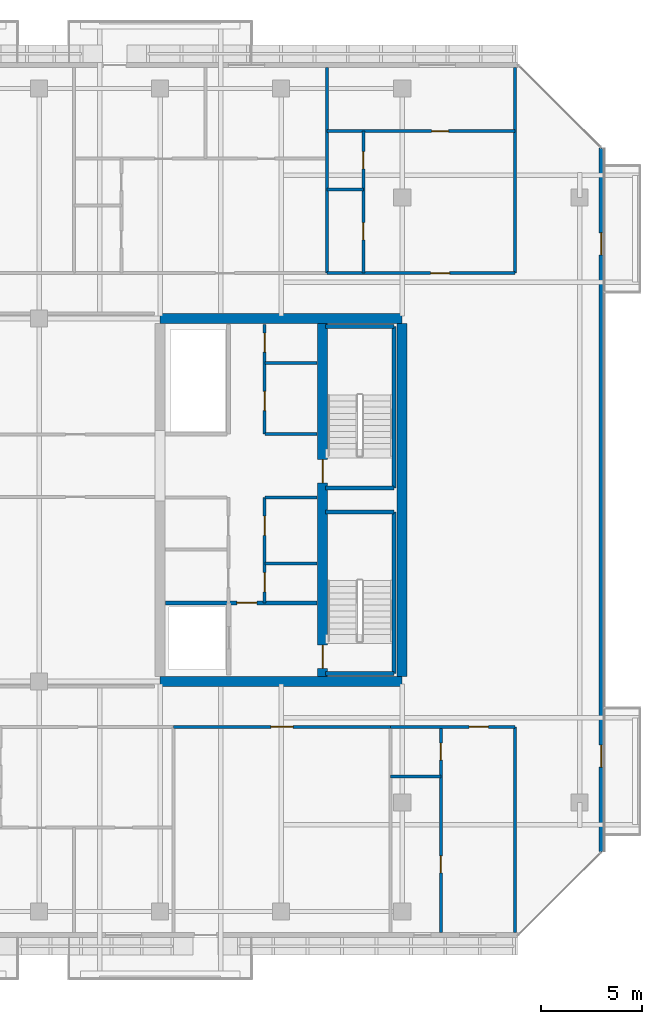
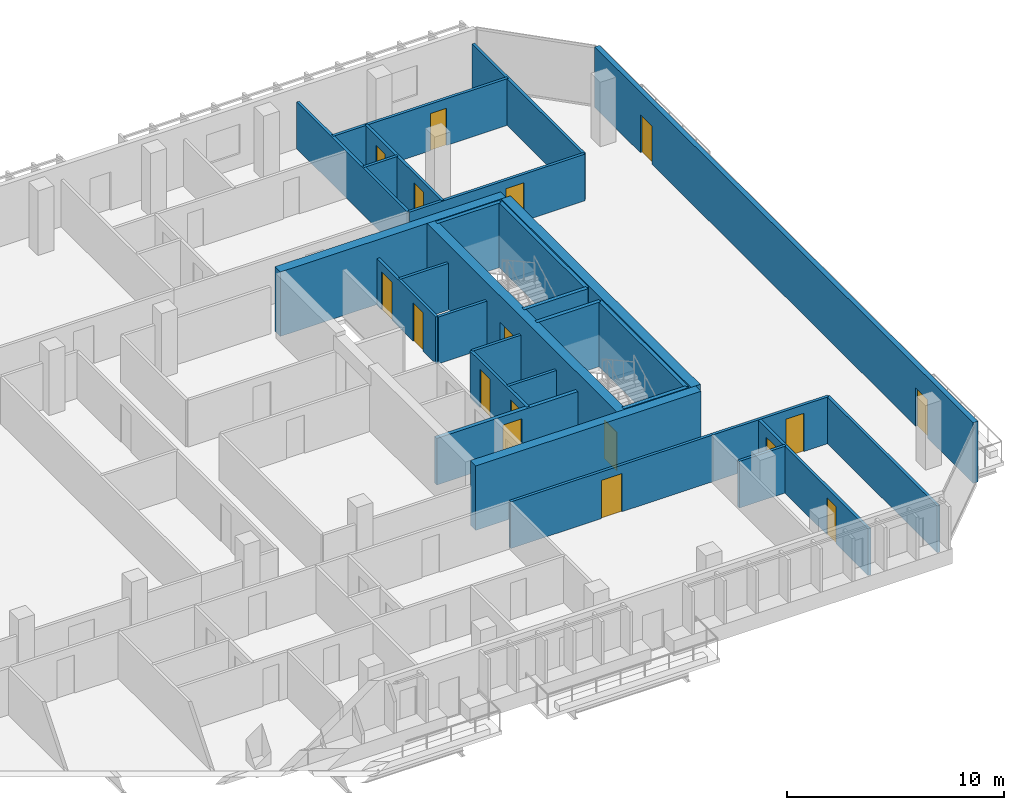
# One storey, part 24 of 30: 29 walls, 17 doors, 17 openings.
"""IFC4 building model written with IfcOpenShell, lengths in metres."""

from ifc_helpers import new_model, si_unit, direction, frame, frame_2d, origin, place, context, subcontext, project, spatial, rectangle, extrude, material, layer, layer_set, type_object, element, fill, save


model = new_model("IFC4")

# Units and contexts
model_context = context("Model", 3, precision=1e-05, world=origin(), true_north=direction((0.0, 1.0)))
body_context = subcontext(model_context, "Body", "Model", "MODEL_VIEW")
ifc_project = project(units=[si_unit("LENGTHUNIT", "METRE"), si_unit("AREAUNIT", "SQUARE_METRE"), si_unit("VOLUMEUNIT", "CUBIC_METRE"), si_unit("PLANEANGLEUNIT", "RADIAN"), si_unit("MASSUNIT", "GRAM", prefix="KILO")], contexts=[model_context])

# Site, building, storey
site_placement = place(None, origin())
site = spatial("IfcSite", under=ifc_project, at=site_placement, CompositionType="ELEMENT")
building_placement = place(site_placement, origin())
building = spatial("IfcBuilding", under=site, at=building_placement, Name="Tanjung Sevakor Pilgrim Tower", CompositionType="ELEMENT")
storey_placement = place(building_placement, frame((0.0, 0.0, 165.659912109375)))
storey = spatial("IfcBuildingStorey", under=building, at=storey_placement, Name="L46", CompositionType="ELEMENT", Elevation=165.659912109375)

# Walls
ifc_material_1 = material(Name="Concrete C60/75", Category="concrete")
ifc_layer_1 = layer(ifc_material_1, 0.5)
ifc_layer_set_1 = layer_set([ifc_layer_1], Name="WALL-CW-500")
wall_type_1 = type_object("IfcWallType", Name="WALL-CW-500", PredefinedType="SHEAR", material=ifc_layer_set_1)
for number, where, z_axis, x_axis, name in (
    (1, (78.0, 24.60009765625, 0.0), (0.0, 0.0, 1.0), (1.0, 0.0, 0.0), "L46 E Core South Shear Wall"),
    (2, (90.0, 42.60009765625, 0.0), (0.0, 0.0, 1.0), (-1.0, 0.0, 0.0), "L46 E Core North Shear Wall"),
):
    element("IfcWall", number, at=place(storey_placement, frame(where, z_axis=z_axis, x_axis=x_axis)), inside=storey, type_object=wall_type_1, Name=name, PredefinedType="SHEAR", context=body_context, shape_type="SweptSolid", body=[
        extrude(rectangle(XDim=12.0, YDim=0.5, at=frame_2d((6.0, 0.0))), origin(), (0.0, 0.0, 1.0), 3.630126953125),
    ])
wall_1_placement = place(storey_placement, frame((90.0, 24.85009765625, 0.0), z_axis=(0.0, 0.0, 1.0), x_axis=(0.0, 1.0, 0.0)))
element("IfcWall", 3, at=wall_1_placement, inside=storey, type_object=wall_type_1, Name="L46 E Core Outer Shear Wall", PredefinedType="SHEAR", context=body_context, shape_type="SweptSolid", body=[
    extrude(rectangle(XDim=17.5, YDim=0.5, at=frame_2d((8.75, 0.0))), origin(), (0.0, 0.0, 1.0), 3.630126953125),
])

# Wall, openings, doors
wall_2_placement = place(storey_placement, frame((86.050048828125, 24.85009765625, 0.0), z_axis=(0.0, 0.0, 1.0), x_axis=(0.0, 1.0, 0.0)))
wall_2 = element("IfcWall", 4, at=wall_2_placement, inside=storey, type_object=wall_type_1, Name="L46 E Core Stair Spine Wall", PredefinedType="SHEAR", context=body_context, shape_type="SweptSolid", body=[
    extrude(rectangle(XDim=17.5, YDim=0.5, at=frame_2d((8.75, 0.0))), origin(), (0.0, 0.0, 1.0), 3.630126953125),
])
opening_1_placement = place(wall_2_placement, frame((0.39990234375, 0.0, 0.0)))
opening_1 = element("IfcOpeningElement", 5, at=opening_1_placement, cuts=wall_2, Name="Opening ID-ST1", PredefinedType="OPENING", context=body_context, shape_type="SweptSolid", body=[
    extrude(rectangle(XDim=1.14990234375, YDim=2.14990234375, at=frame_2d((0.574951171875, 1.074951171875))), frame((0.0, 0.260009765625, 0.0), z_axis=(0.0, -1.0, 0.0), x_axis=(1.0, 0.0, 0.0)), (0.0, 0.0, 1.0), 0.52001953125),
])
opening_2_placement = place(wall_2_placement, frame((9.60009765625, 0.0, 0.0)))
opening_2 = element("IfcOpeningElement", 6, at=opening_2_placement, cuts=wall_2, Name="Opening ID-ST1", PredefinedType="OPENING", context=body_context, shape_type="SweptSolid", body=[
    extrude(rectangle(XDim=1.14990234375, YDim=2.14990234375, at=frame_2d((0.574951171875, 1.074951171875))), frame((0.0, 0.260009765625, 0.0), z_axis=(0.0, -1.0, 0.0), x_axis=(1.0, 0.0, 0.0)), (0.0, 0.0, 1.0), 0.52001953125),
])
ifc_material_2 = material(Name="Fire-Rated Steel S355J2", Category="steel")
door_type_1 = type_object("IfcDoorType", Name="DT-FIRE-1150", OperationType="NOTDEFINED", PredefinedType="DOOR", material=ifc_material_2)
door_1_placement = place(opening_1_placement, origin())
door_1 = element("IfcDoor", 7, at=door_1_placement, inside=storey, type_object=door_type_1, Name="L46 TS-E1 Stair Fire Door", OperationType="SINGLE_SWING_RIGHT", OverallHeight=2.14990234375, OverallWidth=1.14990234375, PredefinedType="DOOR", context=body_context, shape_type="SweptSolid", body=[
    extrude(rectangle(XDim=1.14990234375, YDim=2.14990234375, at=frame_2d((0.574951171875, 1.074951171875))), frame((0.0, 0.02490234375, 0.0), z_axis=(0.0, -1.0, 0.0), x_axis=(1.0, 0.0, 0.0)), (0.0, 0.0, 1.0), 0.050048828125),
])
fill(opening_1, door_1)
door_2_placement = place(opening_2_placement, origin())
door_2 = element("IfcDoor", 8, at=door_2_placement, inside=storey, type_object=door_type_1, Name="L46 TS-E2 Stair Fire Door", OperationType="SINGLE_SWING_LEFT", OverallHeight=2.14990234375, OverallWidth=1.14990234375, PredefinedType="DOOR", context=body_context, shape_type="SweptSolid", body=[
    extrude(rectangle(XDim=1.14990234375, YDim=2.14990234375, at=frame_2d((0.574951171875, 1.074951171875))), frame((0.0, 0.02490234375, 0.0), z_axis=(0.0, -1.0, 0.0), x_axis=(1.0, 0.0, 0.0)), (0.0, 0.0, 1.0), 0.050048828125),
])
fill(opening_2, door_2)

# Walls
ifc_material_3 = material(Name="Concrete C40/50", Category="concrete")
ifc_layer_2 = layer(ifc_material_3, 0.14990234375)
ifc_layer_set_2 = layer_set([ifc_layer_2], Name="WT-COMP-150")
wall_type_2 = type_object("IfcWallType", Name="WT-COMP-150", PredefinedType="SOLIDWALL", material=ifc_layer_set_2)
for number, where, z_axis, x_axis, name in (
    (9, (83.199951171875, 30.449951171875, 0.0), (0.0, 0.0, 1.0), (1.0, 0.0, 0.0), "L46 Partition IW-L46-016"),
    (10, (83.199951171875, 33.719970703125, 0.0), (0.0, 0.0, 1.0), (1.0, 0.0, 0.0), "L46 Partition IW-L46-017"),
):
    element("IfcWall", number, at=place(storey_placement, frame(where, z_axis=z_axis, x_axis=x_axis)), inside=storey, type_object=wall_type_2, Name=name, PredefinedType="SOLIDWALL", context=body_context, shape_type="SweptSolid", body=[
        extrude(rectangle(XDim=2.580078125, YDim=0.14990234375, at=frame_2d((1.2900390625, 0.0))), origin(), (0.0, 0.0, 1.0), 2.6298828125),
    ])

# Wall, openings, doors
wall_3_placement = place(storey_placement, frame((83.179931640625, 28.5, 0.0), z_axis=(0.0, 0.0, 1.0), x_axis=(0.0, 1.0, 0.0)))
wall_3 = element("IfcWall", 11, at=wall_3_placement, inside=storey, type_object=wall_type_2, Name="L46 Partition IW-L46-018", PredefinedType="SOLIDWALL", context=body_context, shape_type="SweptSolid", body=[
    extrude(rectangle(XDim=5.219970703125, YDim=0.14990234375, at=frame_2d((2.60986328125, 0.0))), origin(), (0.0, 0.0, 1.0), 2.6298828125),
])
opening_3_placement = place(wall_3_placement, frame((0.550048828125, 0.0, 0.0)))
opening_3 = element("IfcOpeningElement", 12, at=opening_3_placement, cuts=wall_3, Name="Opening ID-FD2", PredefinedType="OPENING", context=body_context, shape_type="SweptSolid", body=[
    extrude(rectangle(XDim=0.949951171875, YDim=2.14990234375, at=frame_2d((0.47509765625, 1.074951171875))), frame((0.0, 0.0849609375, 0.0), z_axis=(0.0, -1.0, 0.0), x_axis=(1.0, 0.0, 0.0)), (0.0, 0.0, 1.0), 0.169921875),
])
opening_4_placement = place(wall_3_placement, frame((3.35009765625, 0.0, 0.0)))
opening_4 = element("IfcOpeningElement", 13, at=opening_4_placement, cuts=wall_3, Name="Opening ID-FD2", PredefinedType="OPENING", context=body_context, shape_type="SweptSolid", body=[
    extrude(rectangle(XDim=0.949951171875, YDim=2.14990234375, at=frame_2d((0.47509765625, 1.074951171875))), frame((0.0, 0.0849609375, 0.0), z_axis=(0.0, -1.0, 0.0), x_axis=(1.0, 0.0, 0.0)), (0.0, 0.0, 1.0), 0.169921875),
])
ifc_material_4 = material(Name="Fire-Rated Timber", Category="wood")
door_type_2 = type_object("IfcDoorType", Name="DT-FIRE-950", OperationType="NOTDEFINED", PredefinedType="DOOR", material=ifc_material_4)
door_3_placement = place(opening_3_placement, origin())
door_3 = element("IfcDoor", 14, at=door_3_placement, inside=storey, type_object=door_type_2, Name="L46 Cleaner Store Door", OperationType="SINGLE_SWING_RIGHT", OverallHeight=2.14990234375, OverallWidth=0.949951171875, PredefinedType="DOOR", context=body_context, shape_type="SweptSolid", body=[
    extrude(rectangle(XDim=0.949951171875, YDim=2.14990234375, at=frame_2d((0.47509765625, 1.074951171875))), frame((0.0, 0.02490234375, 0.0), z_axis=(0.0, -1.0, 0.0), x_axis=(1.0, 0.0, 0.0)), (0.0, 0.0, 1.0), 0.050048828125),
])
fill(opening_3, door_3)
door_4_placement = place(opening_4_placement, origin())
door_4 = element("IfcDoor", 15, at=door_4_placement, inside=storey, type_object=door_type_2, Name="L46 Housekeeping Pantry Door", OperationType="SINGLE_SWING_LEFT", OverallHeight=2.14990234375, OverallWidth=0.949951171875, PredefinedType="DOOR", context=body_context, shape_type="SweptSolid", body=[
    extrude(rectangle(XDim=0.949951171875, YDim=2.14990234375, at=frame_2d((0.47509765625, 1.074951171875))), frame((0.0, 0.02490234375, 0.0), z_axis=(0.0, -1.0, 0.0), x_axis=(1.0, 0.0, 0.0)), (0.0, 0.0, 1.0), 0.050048828125),
])
fill(opening_4, door_4)

# Walls
for number, where, z_axis, x_axis, name in (
    (16, (83.199951171875, 36.8798828125, 0.0), (0.0, 0.0, 1.0), (1.0, 0.0, 0.0), "L46 Partition IW-L46-022"),
    (17, (83.199951171875, 40.389892578125, 0.0), (0.0, 0.0, 1.0), (1.0, 0.0, 0.0), "L46 Partition IW-L46-023"),
):
    element("IfcWall", number, at=place(storey_placement, frame(where, z_axis=z_axis, x_axis=x_axis)), inside=storey, type_object=wall_type_2, Name=name, PredefinedType="SOLIDWALL", context=body_context, shape_type="SweptSolid", body=[
        extrude(rectangle(XDim=2.580078125, YDim=0.14990234375, at=frame_2d((1.2900390625, 0.0))), origin(), (0.0, 0.0, 1.0), 2.6298828125),
    ])

# Wall, openings, doors
wall_4_placement = place(storey_placement, frame((83.179931640625, 36.8798828125, 0.0), z_axis=(0.0, 0.0, 1.0), x_axis=(0.0, 1.0, 0.0)))
wall_4 = element("IfcWall", 18, at=wall_4_placement, inside=storey, type_object=wall_type_2, Name="L46 Partition IW-L46-024", PredefinedType="SOLIDWALL", context=body_context, shape_type="SweptSolid", body=[
    extrude(rectangle(XDim=5.420166015625, YDim=0.14990234375, at=frame_2d((2.7099609375, 0.0))), origin(), (0.0, 0.0, 1.0), 2.6298828125),
])
opening_5_placement = place(wall_4_placement, frame((1.14990234375, 0.0, 0.0)))
opening_5 = element("IfcOpeningElement", 19, at=opening_5_placement, cuts=wall_4, Name="Opening ID-FD2", PredefinedType="OPENING", context=body_context, shape_type="SweptSolid", body=[
    extrude(rectangle(XDim=0.949951171875, YDim=2.14990234375, at=frame_2d((0.47509765625, 1.074951171875))), frame((0.0, 0.0849609375, 0.0), z_axis=(0.0, -1.0, 0.0), x_axis=(1.0, 0.0, 0.0)), (0.0, 0.0, 1.0), 0.169921875),
])
opening_6_placement = place(wall_4_placement, frame((4.050048828125, 0.0, 0.0)))
opening_6 = element("IfcOpeningElement", 20, at=opening_6_placement, cuts=wall_4, Name="Opening ID-FD2", PredefinedType="OPENING", context=body_context, shape_type="SweptSolid", body=[
    extrude(rectangle(XDim=0.949951171875, YDim=2.14990234375, at=frame_2d((0.47509765625, 1.074951171875))), frame((0.0, 0.0849609375, 0.0), z_axis=(0.0, -1.0, 0.0), x_axis=(1.0, 0.0, 0.0)), (0.0, 0.0, 1.0), 0.169921875),
])
door_5_placement = place(opening_5_placement, origin())
door_5 = element("IfcDoor", 21, at=door_5_placement, inside=storey, type_object=door_type_2, Name="L46 Core Study Room Door", OperationType="SINGLE_SWING_RIGHT", OverallHeight=2.14990234375, OverallWidth=0.949951171875, PredefinedType="DOOR", context=body_context, shape_type="SweptSolid", body=[
    extrude(rectangle(XDim=0.949951171875, YDim=2.14990234375, at=frame_2d((0.47509765625, 1.074951171875))), frame((0.0, 0.02490234375, 0.0), z_axis=(0.0, -1.0, 0.0), x_axis=(1.0, 0.0, 0.0)), (0.0, 0.0, 1.0), 0.050048828125),
])
fill(opening_5, door_5)
door_6_placement = place(opening_6_placement, origin())
door_6 = element("IfcDoor", 22, at=door_6_placement, inside=storey, type_object=door_type_2, Name="L46 Service Store Door", OperationType="SINGLE_SWING_LEFT", OverallHeight=2.14990234375, OverallWidth=0.949951171875, PredefinedType="DOOR", context=body_context, shape_type="SweptSolid", body=[
    extrude(rectangle(XDim=0.949951171875, YDim=2.14990234375, at=frame_2d((0.47509765625, 1.074951171875))), frame((0.0, 0.02490234375, 0.0), z_axis=(0.0, -1.0, 0.0), x_axis=(1.0, 0.0, 0.0)), (0.0, 0.0, 1.0), 0.050048828125),
])
fill(opening_6, door_6)

# Wall
wall_5_placement = place(storey_placement, frame((95.60009765625, 12.14990234375, 0.0), z_axis=(0.0, 0.0, 1.0), x_axis=(0.0, 1.0, 0.0)))
element("IfcWall", 23, at=wall_5_placement, inside=storey, type_object=wall_type_2, Name="L46 Partition IW-L46-071", PredefinedType="SOLIDWALL", context=body_context, shape_type="SweptSolid", body=[
    extrude(rectangle(XDim=10.2001953125, YDim=0.14990234375, at=frame_2d((5.10009765625, 0.0))), origin(), (0.0, 0.0, 1.0), 2.6298828125),
])

# Wall, opening, door
wall_6_placement = place(storey_placement, frame((78.665771484375, 22.35009765625, 0.0), z_axis=(0.0, 0.0, 1.0), x_axis=(1.0, 0.0, 0.0)))
wall_6 = element("IfcWall", 24, at=wall_6_placement, inside=storey, type_object=wall_type_2, Name="L46 Partition IW-L46-087", PredefinedType="SOLIDWALL", context=body_context, shape_type="SweptSolid", body=[
    extrude(rectangle(XDim=10.755615234375, YDim=0.14990234375, at=frame_2d((5.3779296875, 0.0))), origin(), (0.0, 0.0, 1.0), 2.6298828125),
])
opening_7_placement = place(wall_6_placement, frame((4.827880859375, 0.0, 0.0)))
opening_7 = element("IfcOpeningElement", 25, at=opening_7_placement, cuts=wall_6, Name="Opening ID-FD0", PredefinedType="OPENING", context=body_context, shape_type="SweptSolid", body=[
    extrude(rectangle(XDim=1.10009765625, YDim=2.14990234375, at=frame_2d((0.550048828125, 1.074951171875))), frame((0.0, 0.0849609375, 0.0), z_axis=(0.0, -1.0, 0.0), x_axis=(1.0, 0.0, 0.0)), (0.0, 0.0, 1.0), 0.169921875),
])
ifc_material_5 = material(Name="Fire-Rated Steel S355J2", Category="steel")
door_type_3 = type_object("IfcDoorType", Name="DT-FIRE-1100", OperationType="NOTDEFINED", PredefinedType="DOOR", material=ifc_material_5)
door_7_placement = place(opening_7_placement, origin())
door_7 = element("IfcDoor", 26, at=door_7_placement, inside=storey, type_object=door_type_3, Name="Communal Lounge Door", OperationType="SINGLE_SWING_RIGHT", OverallHeight=2.14990234375, OverallWidth=1.10009765625, PredefinedType="DOOR", context=body_context, shape_type="SweptSolid", body=[
    extrude(rectangle(XDim=1.10009765625, YDim=2.14990234375, at=frame_2d((0.550048828125, 1.074951171875))), frame((0.0, 0.02490234375, 0.0), z_axis=(0.0, -1.0, 0.0), x_axis=(1.0, 0.0, 0.0)), (0.0, 0.0, 1.0), 0.050048828125),
])
fill(opening_7, door_7)

wall_7_placement = place(storey_placement, frame((89.42138671875, 22.35009765625, 0.0), z_axis=(0.0, 0.0, 1.0), x_axis=(1.0, 0.0, 0.0)))
wall_7 = element("IfcWall", 27, at=wall_7_placement, inside=storey, type_object=wall_type_2, Name="L46 Partition IW-L46-090", PredefinedType="SOLIDWALL", context=body_context, shape_type="SweptSolid", body=[
    extrude(rectangle(XDim=6.1787109375, YDim=0.14990234375, at=frame_2d((3.08935546875, 0.0))), origin(), (0.0, 0.0, 1.0), 2.6298828125),
])
opening_8_placement = place(wall_7_placement, frame((3.90380859375, 0.0, 0.0)))
opening_8 = element("IfcOpeningElement", 28, at=opening_8_placement, cuts=wall_7, Name="Opening ID-FD2", PredefinedType="OPENING", context=body_context, shape_type="SweptSolid", body=[
    extrude(rectangle(XDim=0.949951171875, YDim=2.14990234375, at=frame_2d((0.47509765625, 1.074951171875))), frame((0.0, 0.0849609375, 0.0), z_axis=(0.0, -1.0, 0.0), x_axis=(1.0, 0.0, 0.0)), (0.0, 0.0, 1.0), 0.169921875),
])
door_8_placement = place(opening_8_placement, origin())
door_8 = element("IfcDoor", 29, at=door_8_placement, inside=storey, type_object=door_type_2, Name="Hostel Quad Entrance", OperationType="SINGLE_SWING_LEFT", OverallHeight=2.14990234375, OverallWidth=0.949951171875, PredefinedType="DOOR", context=body_context, shape_type="SweptSolid", body=[
    extrude(rectangle(XDim=0.949951171875, YDim=2.14990234375, at=frame_2d((0.47509765625, 1.074951171875))), frame((0.0, 0.02490234375, 0.0), z_axis=(0.0, -1.0, 0.0), x_axis=(1.0, 0.0, 0.0)), (0.0, 0.0, 1.0), 0.050048828125),
])
fill(opening_8, door_8)

# Walls
for number, where, z_axis, x_axis, name in (
    (30, (95.60009765625, 44.85009765625, 0.0), (0.0, 0.0, 1.0), (0.0, 1.0, 0.0), "L46 Partition IW-L46-103"),
    (31, (86.263916015625, 44.85009765625, 0.0), (0.0, 0.0, 1.0), (0.0, 1.0, 0.0), "L46 Partition IW-L46-112"),
):
    element("IfcWall", number, at=place(storey_placement, frame(where, z_axis=z_axis, x_axis=x_axis)), inside=storey, type_object=wall_type_2, Name=name, PredefinedType="SOLIDWALL", context=body_context, shape_type="SweptSolid", body=[
        extrude(rectangle(XDim=10.199951171875, YDim=0.14990234375, at=frame_2d((5.10009765625, 0.0))), origin(), (0.0, 0.0, 1.0), 2.6298828125),
    ])

# Wall, opening, door
wall_8_placement = place(storey_placement, frame((86.263916015625, 44.85009765625, 0.0), z_axis=(0.0, 0.0, 1.0), x_axis=(1.0, 0.0, 0.0)))
wall_8 = element("IfcWall", 32, at=wall_8_placement, inside=storey, type_object=wall_type_2, Name="L46 Partition IW-L46-121", PredefinedType="SOLIDWALL", context=body_context, shape_type="SweptSolid", body=[
    extrude(rectangle(XDim=9.336181640625, YDim=0.14990234375, at=frame_2d((4.66796875, 0.0))), origin(), (0.0, 0.0, 1.0), 2.6298828125),
])
opening_9_placement = place(wall_8_placement, frame((5.14111328125, 0.0, 0.0)))
opening_9 = element("IfcOpeningElement", 33, at=opening_9_placement, cuts=wall_8, Name="Opening ID-FD2", PredefinedType="OPENING", context=body_context, shape_type="SweptSolid", body=[
    extrude(rectangle(XDim=0.949951171875, YDim=2.14990234375, at=frame_2d((0.47509765625, 1.074951171875))), frame((0.0, 0.0849609375, 0.0), z_axis=(0.0, -1.0, 0.0), x_axis=(1.0, 0.0, 0.0)), (0.0, 0.0, 1.0), 0.169921875),
])
door_9_placement = place(opening_9_placement, origin())
door_9 = element("IfcDoor", 34, at=door_9_placement, inside=storey, type_object=door_type_2, Name="Residence Entrance", OperationType="SINGLE_SWING_LEFT", OverallHeight=2.14990234375, OverallWidth=0.949951171875, PredefinedType="DOOR", context=body_context, shape_type="SweptSolid", body=[
    extrude(rectangle(XDim=0.949951171875, YDim=2.14990234375, at=frame_2d((0.47509765625, 1.074951171875))), frame((0.0, 0.02490234375, 0.0), z_axis=(0.0, -1.0, 0.0), x_axis=(1.0, 0.0, 0.0)), (0.0, 0.0, 1.0), 0.050048828125),
])
fill(opening_9, door_9)

# Wall, openings, doors
ifc_material_6 = material(Name="Precast concrete C45/55", Category="concrete")
ifc_layer_3 = layer(ifc_material_6, 0.25)
ifc_layer_set_3 = layer_set([ifc_layer_3], Name="WT-EW-STN3")
wall_type_3 = type_object("IfcWallType", Name="WT-EW-STN3", PredefinedType="SOLIDWALL", material=ifc_layer_set_3)
wall_9_placement = place(storey_placement, frame((99.875, 16.15185546875, 0.0), z_axis=(0.0, 0.0, 1.0), x_axis=(0.0, 1.0, 0.0)))
wall_9 = element("IfcWall", 35, at=wall_9_placement, inside=storey, type_object=wall_type_3, Name="L46 MAIN Exterior Wall 7", PredefinedType="SOLIDWALL", context=body_context, shape_type="SweptSolid", body=[
    extrude(rectangle(XDim=34.896240234375, YDim=0.25, at=frame_2d((17.4482421875, 0.0))), origin(), (0.0, 0.0, 1.0), 3.409912109375),
])
opening_10_placement = place(wall_9_placement, frame((4.1982421875, 0.0, 0.0)))
opening_10 = element("IfcOpeningElement", 36, at=opening_10_placement, cuts=wall_9, Name="Opening ED-BAL-1100", PredefinedType="OPENING", context=body_context, shape_type="SweptSolid", body=[
    extrude(rectangle(XDim=1.10009765625, YDim=2.14990234375, at=frame_2d((0.550048828125, 1.074951171875))), frame((0.0, 0.135009765625, 0.0), z_axis=(0.0, -1.0, 0.0), x_axis=(1.0, 0.0, 0.0)), (0.0, 0.0, 1.0), 0.27001953125),
])
opening_11_placement = place(wall_9_placement, frame((29.59814453125, 0.0, 0.0)))
opening_11 = element("IfcOpeningElement", 37, at=opening_11_placement, cuts=wall_9, Name="Opening ED-BAL-1100", PredefinedType="OPENING", context=body_context, shape_type="SweptSolid", body=[
    extrude(rectangle(XDim=1.10009765625, YDim=2.14990234375, at=frame_2d((0.550048828125, 1.074951171875))), frame((0.0, 0.135009765625, 0.0), z_axis=(0.0, -1.0, 0.0), x_axis=(1.0, 0.0, 0.0)), (0.0, 0.0, 1.0), 0.27001953125),
])
ifc_material_7 = material(Name="Anodised Aluminium and Laminated Glass", Category="aluminium")
door_type_4 = type_object("IfcDoorType", Name="DTYP-ED-BAL-1100", OperationType="NOTDEFINED", PredefinedType="DOOR", material=ifc_material_7)
door_10_placement = place(opening_10_placement, frame((1.10009765625, 0.0, 0.0), z_axis=(0.0, 0.0, 1.0), x_axis=(-1.0, 0.0, 0.0)))
door_10 = element("IfcDoor", 38, at=door_10_placement, inside=storey, type_object=door_type_4, Name="L46 East Loggia Door MAIN-E1", OperationType="SINGLE_SWING_LEFT", OverallHeight=2.14990234375, OverallWidth=1.10009765625, PredefinedType="DOOR", context=body_context, shape_type="SweptSolid", body=[
    extrude(rectangle(XDim=1.10009765625, YDim=2.14990234375, at=frame_2d((0.550048828125, 1.074951171875))), frame((0.0, 0.02490234375, 0.0), z_axis=(0.0, -1.0, 0.0), x_axis=(1.0, 0.0, 0.0)), (0.0, 0.0, 1.0), 0.050048828125),
])
fill(opening_10, door_10)
door_11_placement = place(opening_11_placement, frame((1.10009765625, 0.0, 0.0), z_axis=(0.0, 0.0, 1.0), x_axis=(-1.0, 0.0, 0.0)))
door_11 = element("IfcDoor", 39, at=door_11_placement, inside=storey, type_object=door_type_4, Name="L46 East Loggia Door MAIN-E2", OperationType="SINGLE_SWING_RIGHT", OverallHeight=2.14990234375, OverallWidth=1.10009765625, PredefinedType="DOOR", context=body_context, shape_type="SweptSolid", body=[
    extrude(rectangle(XDim=1.10009765625, YDim=2.14990234375, at=frame_2d((0.550048828125, 1.074951171875))), frame((0.0, 0.02490234375, 0.0), z_axis=(0.0, -1.0, 0.0), x_axis=(1.0, 0.0, 0.0)), (0.0, 0.0, 1.0), 0.050048828125),
])
fill(opening_11, door_11)

# Walls
ifc_material_8 = material(Name="Concrete C40/50", Category="concrete")
ifc_layer_4 = layer(ifc_material_8, 0.199951171875)
ifc_layer_set_4 = layer_set([ifc_layer_4], Name="WT-FIRE-200")
wall_type_4 = type_object("IfcWallType", Name="WT-FIRE-200", PredefinedType="SOLIDWALL", material=ifc_layer_set_4)
wall_10_placement = place(storey_placement, frame((86.199951171875, 25.0, 0.0), z_axis=(0.0, 0.0, 1.0), x_axis=(1.0, 0.0, 0.0)))
element("IfcWall", 40, at=wall_10_placement, inside=storey, type_object=wall_type_4, Name="L46 TS-E1 Shaft Wall 1", PredefinedType="SOLIDWALL", context=body_context, shape_type="SweptSolid", body=[
    extrude(rectangle(XDim=3.400146484375, YDim=0.199951171875, at=frame_2d((1.7001953125, 0.0))), origin(), (0.0, 0.0, 1.0), 3.630126953125),
])
wall_11_placement = place(storey_placement, frame((89.60009765625, 25.0, 0.0), z_axis=(0.0, 0.0, 1.0), x_axis=(0.0, 1.0, 0.0)))
element("IfcWall", 41, at=wall_11_placement, inside=storey, type_object=wall_type_4, Name="L46 TS-E1 Shaft Wall 2", PredefinedType="SOLIDWALL", context=body_context, shape_type="SweptSolid", body=[
    extrude(rectangle(XDim=8.0, YDim=0.199951171875, at=frame_2d((4.0, 0.0))), origin(), (0.0, 0.0, 1.0), 3.630126953125),
])
for number, where, z_axis, x_axis, name in (
    (42, (89.60009765625, 33.0, 0.0), (0.0, 0.0, 1.0), (-1.0, 0.0, 0.0), "L46 TS-E1 Shaft Wall 3"),
    (43, (86.199951171875, 34.199951171875, 0.0), (0.0, 0.0, 1.0), (1.0, 0.0, 0.0), "L46 TS-E2 Shaft Wall 1"),
):
    element("IfcWall", number, at=place(storey_placement, frame(where, z_axis=z_axis, x_axis=x_axis)), inside=storey, type_object=wall_type_4, Name=name, PredefinedType="SOLIDWALL", context=body_context, shape_type="SweptSolid", body=[
        extrude(rectangle(XDim=3.400146484375, YDim=0.199951171875, at=frame_2d((1.7001953125, 0.0))), origin(), (0.0, 0.0, 1.0), 3.630126953125),
    ])
wall_12_placement = place(storey_placement, frame((89.60009765625, 34.199951171875, 0.0), z_axis=(0.0, 0.0, 1.0), x_axis=(0.0, 1.0, 0.0)))
element("IfcWall", 44, at=wall_12_placement, inside=storey, type_object=wall_type_4, Name="L46 TS-E2 Shaft Wall 2", PredefinedType="SOLIDWALL", context=body_context, shape_type="SweptSolid", body=[
    extrude(rectangle(XDim=8.0, YDim=0.199951171875, at=frame_2d((4.0, 0.0))), origin(), (0.0, 0.0, 1.0), 3.630126953125),
])
wall_13_placement = place(storey_placement, frame((89.60009765625, 42.199951171875, 0.0), z_axis=(0.0, 0.0, 1.0), x_axis=(-1.0, 0.0, 0.0)))
element("IfcWall", 45, at=wall_13_placement, inside=storey, type_object=wall_type_4, Name="L46 TS-E2 Shaft Wall 3", PredefinedType="SOLIDWALL", context=body_context, shape_type="SweptSolid", body=[
    extrude(rectangle(XDim=3.400146484375, YDim=0.199951171875, at=frame_2d((1.7001953125, 0.0))), origin(), (0.0, 0.0, 1.0), 3.630126953125),
])

# Wall, opening, door
ifc_material_9 = material(Name="Concrete C40/50", Category="concrete")
ifc_layer_5 = layer(ifc_material_9, 0.199951171875)
ifc_layer_set_5 = layer_set([ifc_layer_5], Name="WT-FPRT-200")
wall_type_5 = type_object("IfcWallType", Name="WT-FPRT-200", PredefinedType="SOLIDWALL", material=ifc_layer_set_5)
wall_14_placement = place(storey_placement, frame((78.27001953125, 28.5, 0.0), z_axis=(0.0, 0.0, 1.0), x_axis=(1.0, 0.0, 0.0)))
wall_14 = element("IfcWall", 46, at=wall_14_placement, inside=storey, type_object=wall_type_5, Name="L46 Partition IW-L46-015", PredefinedType="SOLIDWALL", context=body_context, shape_type="SweptSolid", body=[
    extrude(rectangle(XDim=7.510009765625, YDim=0.199951171875, at=frame_2d((3.7548828125, 0.0))), origin(), (0.0, 0.0, 1.0), 2.6298828125),
])
opening_12_placement = place(wall_14_placement, frame((3.530029296875, 0.0, 0.0)))
opening_12 = element("IfcOpeningElement", 47, at=opening_12_placement, cuts=wall_14, Name="Opening ID-FD1", PredefinedType="OPENING", context=body_context, shape_type="SweptSolid", body=[
    extrude(rectangle(XDim=1.0, YDim=2.14990234375, at=frame_2d((0.5, 1.074951171875))), frame((0.0, 0.10986328125, 0.0), z_axis=(0.0, -1.0, 0.0), x_axis=(1.0, 0.0, 0.0)), (0.0, 0.0, 1.0), 0.219970703125),
])
ifc_material_10 = material(Name="Fire-Rated Steel S355J2", Category="steel")
door_type_5 = type_object("IfcDoorType", Name="DT-FIRE-1000", OperationType="NOTDEFINED", PredefinedType="DOOR", material=ifc_material_10)
door_12_placement = place(opening_12_placement, origin())
door_12 = element("IfcDoor", 48, at=door_12_placement, inside=storey, type_object=door_type_5, Name="Fire Lobby Door E", OperationType="SINGLE_SWING_LEFT", OverallHeight=2.14990234375, OverallWidth=1.0, PredefinedType="DOOR", context=body_context, shape_type="SweptSolid", body=[
    extrude(rectangle(XDim=1.0, YDim=2.14990234375, at=frame_2d((0.5, 1.074951171875))), frame((0.0, 0.02490234375, 0.0), z_axis=(0.0, -1.0, 0.0), x_axis=(1.0, 0.0, 0.0)), (0.0, 0.0, 1.0), 0.050048828125),
])
fill(opening_12, door_12)

# Wall
ifc_material_11 = material(Name="Gypsum Board Partition", Category="gypsum board")
ifc_layer_6 = layer(ifc_material_11, 0.14990234375)
ifc_layer_set_6 = layer_set([ifc_layer_6], Name="WT-PART-150")
wall_type_6 = type_object("IfcWallType", Name="WT-PART-150", PredefinedType="PARTITIONING", material=ifc_layer_set_6)
wall_15_placement = place(storey_placement, frame((89.42138671875, 19.89990234375, 0.0), z_axis=(0.0, 0.0, 1.0), x_axis=(1.0, 0.0, 0.0)))
element("IfcWall", 49, at=wall_15_placement, inside=storey, type_object=wall_type_6, Name="L46 Partition IW-L46-088", PredefinedType="PARTITIONING", context=body_context, shape_type="SweptSolid", body=[
    extrude(rectangle(XDim=2.49853515625, YDim=0.14990234375, at=frame_2d((1.249267578125, 0.0))), origin(), (0.0, 0.0, 1.0), 2.6298828125),
])

# Wall, openings, doors
wall_16_placement = place(storey_placement, frame((91.919921875, 12.14990234375, 0.0), z_axis=(0.0, 0.0, 1.0), x_axis=(0.0, 1.0, 0.0)))
wall_16 = element("IfcWall", 50, at=wall_16_placement, inside=storey, type_object=wall_type_6, Name="L46 Partition IW-L46-089", PredefinedType="PARTITIONING", context=body_context, shape_type="SweptSolid", body=[
    extrude(rectangle(XDim=10.2001953125, YDim=0.14990234375, at=frame_2d((5.10009765625, 0.0))), origin(), (0.0, 0.0, 1.0), 2.6298828125),
])
opening_13_placement = place(wall_16_placement, frame((2.9599609375, 0.0, 0.0)))
opening_13 = element("IfcOpeningElement", 51, at=opening_13_placement, cuts=wall_16, Name="Opening ID-WC1", PredefinedType="OPENING", context=body_context, shape_type="SweptSolid", body=[
    extrude(rectangle(XDim=0.85009765625, YDim=2.10009765625, at=frame_2d((0.425048828125, 1.050048828125))), frame((0.0, 0.0849609375, 0.0), z_axis=(0.0, -1.0, 0.0), x_axis=(1.0, 0.0, 0.0)), (0.0, 0.0, 1.0), 0.169921875),
])
opening_14_placement = place(wall_16_placement, frame((8.550048828125, 0.0, 0.0)))
opening_14 = element("IfcOpeningElement", 52, at=opening_14_placement, cuts=wall_16, Name="Opening ID-WC1", PredefinedType="OPENING", context=body_context, shape_type="SweptSolid", body=[
    extrude(rectangle(XDim=0.85009765625, YDim=2.10009765625, at=frame_2d((0.425048828125, 1.050048828125))), frame((0.0, 0.0849609375, 0.0), z_axis=(0.0, -1.0, 0.0), x_axis=(1.0, 0.0, 0.0)), (0.0, 0.0, 1.0), 0.169921875),
])
ifc_material_12 = material(Name="Moisture-Resistant Timber", Category="wood")
door_type_6 = type_object("IfcDoorType", Name="DT-INT-850", OperationType="NOTDEFINED", PredefinedType="DOOR", material=ifc_material_12)
door_13_placement = place(opening_13_placement, origin())
door_13 = element("IfcDoor", 53, at=door_13_placement, inside=storey, type_object=door_type_6, Name="Study Nook Door", OperationType="SINGLE_SWING_LEFT", OverallHeight=2.10009765625, OverallWidth=0.85009765625, PredefinedType="DOOR", context=body_context, shape_type="SweptSolid", body=[
    extrude(rectangle(XDim=0.85009765625, YDim=2.10009765625, at=frame_2d((0.425048828125, 1.050048828125))), frame((0.0, 0.02490234375, 0.0), z_axis=(0.0, -1.0, 0.0), x_axis=(1.0, 0.0, 0.0)), (0.0, 0.0, 1.0), 0.050048828125),
])
fill(opening_13, door_13)
door_14_placement = place(opening_14_placement, origin())
door_14 = element("IfcDoor", 54, at=door_14_placement, inside=storey, type_object=door_type_6, Name="Bathroom Door", OperationType="SINGLE_SWING_RIGHT", OverallHeight=2.10009765625, OverallWidth=0.85009765625, PredefinedType="DOOR", context=body_context, shape_type="SweptSolid", body=[
    extrude(rectangle(XDim=0.85009765625, YDim=2.10009765625, at=frame_2d((0.425048828125, 1.050048828125))), frame((0.0, 0.02490234375, 0.0), z_axis=(0.0, -1.0, 0.0), x_axis=(1.0, 0.0, 0.0)), (0.0, 0.0, 1.0), 0.050048828125),
])
fill(opening_14, door_14)

# Wall
wall_17_placement = place(storey_placement, frame((86.263916015625, 49.00390625, 0.0), z_axis=(0.0, 0.0, 1.0), x_axis=(1.0, 0.0, 0.0)))
element("IfcWall", 55, at=wall_17_placement, inside=storey, type_object=wall_type_6, Name="L46 Partition IW-L46-118", PredefinedType="PARTITIONING", context=body_context, shape_type="SweptSolid", body=[
    extrude(rectangle(XDim=1.816162109375, YDim=0.14990234375, at=frame_2d((0.908203125, 0.0))), origin(), (0.0, 0.0, 1.0), 2.6298828125),
])

# Wall, openings, doors
wall_18_placement = place(storey_placement, frame((88.080078125, 44.85009765625, 0.0), z_axis=(0.0, 0.0, 1.0), x_axis=(0.0, 1.0, 0.0)))
wall_18 = element("IfcWall", 56, at=wall_18_placement, inside=storey, type_object=wall_type_6, Name="L46 Partition IW-L46-119", PredefinedType="PARTITIONING", context=body_context, shape_type="SweptSolid", body=[
    extrude(rectangle(XDim=7.040283203125, YDim=0.14990234375, at=frame_2d((3.52001953125, 0.0))), origin(), (0.0, 0.0, 1.0), 2.6298828125),
])
opening_15_placement = place(wall_18_placement, frame((1.65185546875, 0.0, 0.0)))
opening_15 = element("IfcOpeningElement", 57, at=opening_15_placement, cuts=wall_18, Name="Opening ID-WC1", PredefinedType="OPENING", context=body_context, shape_type="SweptSolid", body=[
    extrude(rectangle(XDim=0.85009765625, YDim=2.10009765625, at=frame_2d((0.425048828125, 1.050048828125))), frame((0.0, 0.0849609375, 0.0), z_axis=(0.0, -1.0, 0.0), x_axis=(1.0, 0.0, 0.0)), (0.0, 0.0, 1.0), 0.169921875),
])
opening_16_placement = place(wall_18_placement, frame((5.172119140625, 0.0, 0.0)))
opening_16 = element("IfcOpeningElement", 58, at=opening_16_placement, cuts=wall_18, Name="Opening ID-WC1", PredefinedType="OPENING", context=body_context, shape_type="SweptSolid", body=[
    extrude(rectangle(XDim=0.85009765625, YDim=2.10009765625, at=frame_2d((0.425048828125, 1.050048828125))), frame((0.0, 0.0849609375, 0.0), z_axis=(0.0, -1.0, 0.0), x_axis=(1.0, 0.0, 0.0)), (0.0, 0.0, 1.0), 0.169921875),
])
door_15_placement = place(opening_15_placement, origin())
door_15 = element("IfcDoor", 59, at=door_15_placement, inside=storey, type_object=door_type_6, Name="Residence Kitchenette Door", OperationType="SINGLE_SWING_RIGHT", OverallHeight=2.10009765625, OverallWidth=0.85009765625, PredefinedType="DOOR", context=body_context, shape_type="SweptSolid", body=[
    extrude(rectangle(XDim=0.85009765625, YDim=2.10009765625, at=frame_2d((0.425048828125, 1.050048828125))), frame((0.0, 0.02490234375, 0.0), z_axis=(0.0, -1.0, 0.0), x_axis=(1.0, 0.0, 0.0)), (0.0, 0.0, 1.0), 0.050048828125),
])
fill(opening_15, door_15)
door_16_placement = place(opening_16_placement, origin())
door_16 = element("IfcDoor", 60, at=door_16_placement, inside=storey, type_object=door_type_6, Name="Residence Bathroom Door", OperationType="SINGLE_SWING_LEFT", OverallHeight=2.10009765625, OverallWidth=0.85009765625, PredefinedType="DOOR", context=body_context, shape_type="SweptSolid", body=[
    extrude(rectangle(XDim=0.85009765625, YDim=2.10009765625, at=frame_2d((0.425048828125, 1.050048828125))), frame((0.0, 0.02490234375, 0.0), z_axis=(0.0, -1.0, 0.0), x_axis=(1.0, 0.0, 0.0)), (0.0, 0.0, 1.0), 0.050048828125),
])
fill(opening_16, door_16)

# Wall, opening, door
wall_19_placement = place(storey_placement, frame((86.263916015625, 51.890380859375, 0.0), z_axis=(0.0, 0.0, 1.0), x_axis=(1.0, 0.0, 0.0)))
wall_19 = element("IfcWall", 61, at=wall_19_placement, inside=storey, type_object=wall_type_6, Name="L46 Partition IW-L46-120", PredefinedType="PARTITIONING", context=body_context, shape_type="SweptSolid", body=[
    extrude(rectangle(XDim=9.336181640625, YDim=0.14990234375, at=frame_2d((4.66796875, 0.0))), origin(), (0.0, 0.0, 1.0), 2.6298828125),
])
opening_17_placement = place(wall_19_placement, frame((5.191162109375, 0.0, 0.0)))
opening_17 = element("IfcOpeningElement", 62, at=opening_17_placement, cuts=wall_19, Name="Opening ID-WC1", PredefinedType="OPENING", context=body_context, shape_type="SweptSolid", body=[
    extrude(rectangle(XDim=0.85009765625, YDim=2.10009765625, at=frame_2d((0.425048828125, 1.050048828125))), frame((0.0, 0.0849609375, 0.0), z_axis=(0.0, -1.0, 0.0), x_axis=(1.0, 0.0, 0.0)), (0.0, 0.0, 1.0), 0.169921875),
])
door_17_placement = place(opening_17_placement, origin())
door_17 = element("IfcDoor", 63, at=door_17_placement, inside=storey, type_object=door_type_6, Name="Residence Bedroom Door", OperationType="SINGLE_SWING_RIGHT", OverallHeight=2.10009765625, OverallWidth=0.85009765625, PredefinedType="DOOR", context=body_context, shape_type="SweptSolid", body=[
    extrude(rectangle(XDim=0.85009765625, YDim=2.10009765625, at=frame_2d((0.425048828125, 1.050048828125))), frame((0.0, 0.02490234375, 0.0), z_axis=(0.0, -1.0, 0.0), x_axis=(1.0, 0.0, 0.0)), (0.0, 0.0, 1.0), 0.050048828125),
])
fill(opening_17, door_17)

save(model, "model.ifc")
